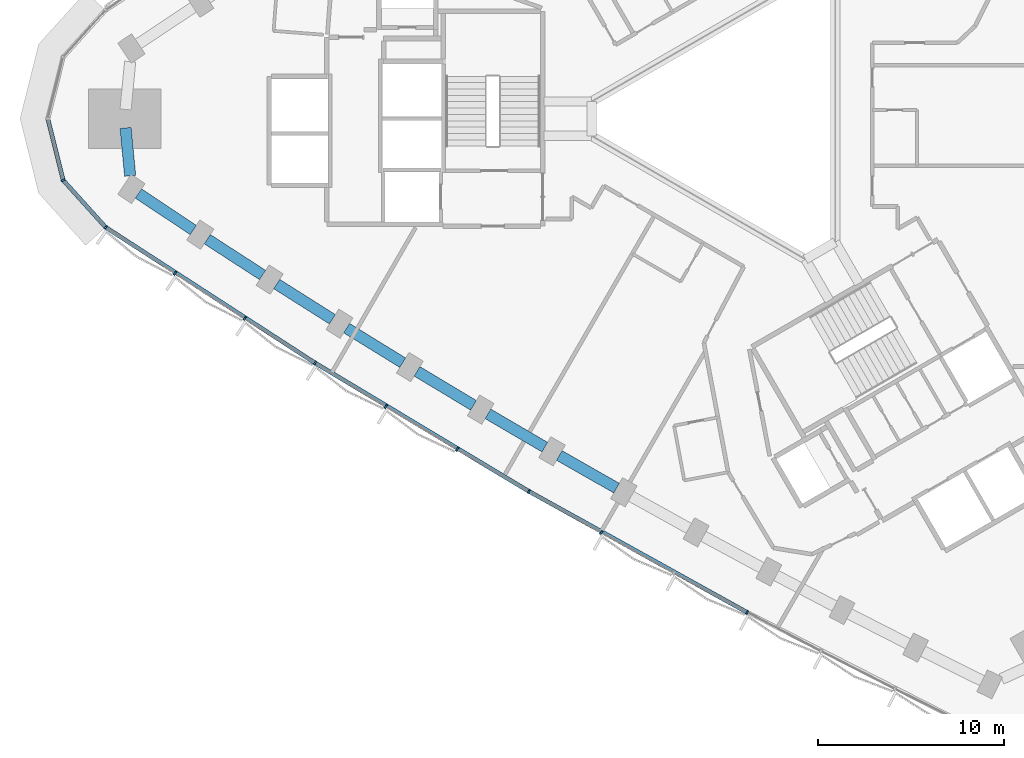
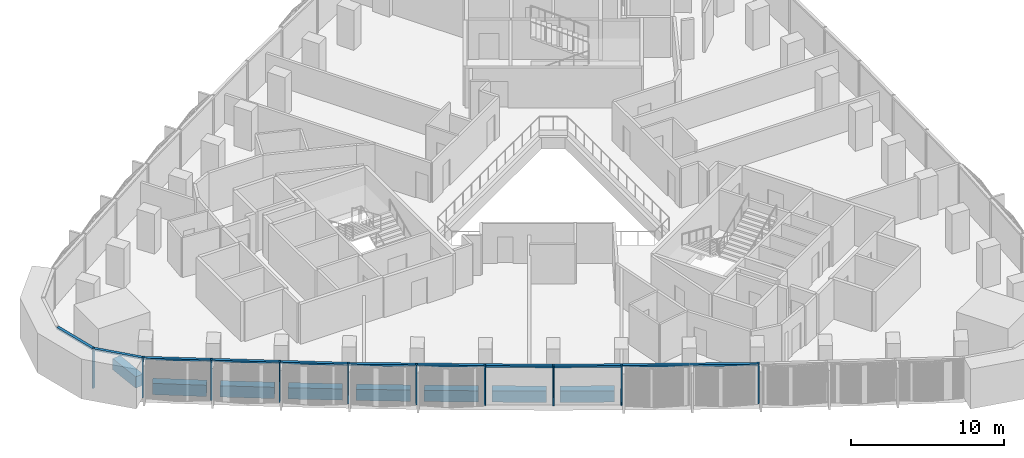
# One storey, part 2 of 15: 15 members, 8 beams, 2 elements without a shape of their own.
"""IFC4 building model written with IfcOpenShell, lengths in metres."""

from ifc_helpers import new_model, si_unit, direction, frame, origin, origin_2d, place, context, subcontext, project, spatial, rectangle, extrude, material, material_profile, profile_set, type_object, element, aggregate, save


model = new_model("IFC4")

# Units and contexts
model_context = context("Model", 3, precision=1e-05, world=origin(), true_north=direction((0.0, 1.0)))
body_context = subcontext(model_context, "Body", "Model", "MODEL_VIEW")
ifc_project = project(units=[si_unit("LENGTHUNIT", "METRE"), si_unit("AREAUNIT", "SQUARE_METRE"), si_unit("VOLUMEUNIT", "CUBIC_METRE"), si_unit("PLANEANGLEUNIT", "RADIAN"), si_unit("MASSUNIT", "GRAM", prefix="KILO")], contexts=[model_context])

# Site, building, storey
site_placement = place(None, origin())
site = spatial("IfcSite", under=ifc_project, at=site_placement, CompositionType="ELEMENT")
building_placement = place(site_placement, origin())
building = spatial("IfcBuilding", under=site, at=building_placement, Name="Tamra Quay Hotel Tower", CompositionType="ELEMENT")
storey_placement = place(building_placement, frame((0.0, 0.0, 97.39990234375)))
storey = spatial("IfcBuildingStorey", under=building, at=storey_placement, Name="L23", CompositionType="ELEMENT", Elevation=97.39990234375)

# Curtain wall, member
ifc_material_1 = material(Name="Aluminium 6063 anodised dark grey", Category="aluminium")
curtain_wall_type_1 = type_object("IfcCurtainWallType", Name="CW2 CURTAIN WALL", PredefinedType="NOTDEFINED", material=ifc_material_1)
curtain_wall_1_placement = place(storey_placement, origin())
curtain_wall_1 = element("IfcCurtainWall", 1, at=curtain_wall_1_placement, inside=storey, type_object=curtain_wall_type_1, Name="CW2 north-west face L23", PredefinedType="NOTDEFINED")
ifc_material_profile_1 = material_profile(ifc_material_1, rectangle(XDim=0.219970703125, YDim=0.10009765625, at=origin_2d()), Name="MULLION 100X220")
ifc_profile_set_1 = profile_set([ifc_material_profile_1], Name="Aluminium 6063 anodised dark grey")
member_type_1 = type_object("IfcMemberType", Name="MULLION CW2 Z2", PredefinedType="MULLION", material=ifc_profile_set_1)
member_1_placement = place(storey_placement, frame((-36.623046875, -3.308349609375, 0.0), z_axis=(0.0, 0.0, 1.0), x_axis=(-0.882543846683, -0.47023011248, 0.0)))
member_1 = element("IfcMember", 2, at=member_1_placement, type_object=member_type_1, Name="CW2 mullion L23.NW.16", PredefinedType="MULLION", context=body_context, shape_type="SweptSolid", body=[
    extrude(rectangle(XDim=0.219970703125, YDim=0.10009765625, at=origin_2d()), origin(), (0.0, 0.0, 1.0), 3.175048828125),
])

# Curtain wall, members
curtain_wall_type_2 = type_object("IfcCurtainWallType", Name="CW3 CURTAIN WALL", PredefinedType="NOTDEFINED", material=ifc_material_1)
curtain_wall_2_placement = place(storey_placement, origin())
curtain_wall_2 = element("IfcCurtainWall", 3, at=curtain_wall_2_placement, inside=storey, type_object=curtain_wall_type_2, Name="CW3 south-west face L23", PredefinedType="NOTDEFINED")
ifc_material_profile_2 = material_profile(ifc_material_1, rectangle(XDim=0.219970703125, YDim=0.10009765625, at=origin_2d()), Name="MULLION 100X220")
ifc_profile_set_2 = profile_set([ifc_material_profile_2], Name="Aluminium 6063 anodised dark grey")
member_type_2 = type_object("IfcMemberType", Name="MULLION CW3 Z2", PredefinedType="MULLION", material=ifc_profile_set_2)
member_2_placement = place(storey_placement, frame((-34.338134765625, -5.839599609375, 0.0), z_axis=(0.0, 0.0, 1.0), x_axis=(-0.652886835472, -0.757455464081, 0.0)))
member_2 = element("IfcMember", 4, at=member_2_placement, type_object=member_type_2, Name="CW3 mullion L23.SW.1", PredefinedType="MULLION", context=body_context, shape_type="SweptSolid", body=[
    extrude(rectangle(XDim=0.219970703125, YDim=0.10009765625, at=origin_2d()), origin(), (0.0, 0.0, 1.0), 3.175048828125),
])
member_3_placement = place(storey_placement, frame((-30.612548828125, -8.314208984375, 0.0), z_axis=(0.0, 0.0, 1.0), x_axis=(-0.548547394531, -0.836119462729, 0.0)))
member_3 = element("IfcMember", 5, at=member_3_placement, type_object=member_type_2, Name="CW3 mullion L23.SW.2", PredefinedType="MULLION", context=body_context, shape_type="SweptSolid", body=[
    extrude(rectangle(XDim=0.219970703125, YDim=0.10009765625, at=origin_2d()), origin(), (0.0, 0.0, 1.0), 3.175048828125),
])
member_4_placement = place(storey_placement, frame((-26.858642578125, -10.74658203125, 0.0), z_axis=(0.0, 0.0, 1.0), x_axis=(-0.538998516205, -0.842306713453, 0.0)))
member_4 = element("IfcMember", 6, at=member_4_placement, type_object=member_type_2, Name="CW3 mullion L23.SW.3", PredefinedType="MULLION", context=body_context, shape_type="SweptSolid", body=[
    extrude(rectangle(XDim=0.219970703125, YDim=0.10009765625, at=origin_2d()), origin(), (0.0, 0.0, 1.0), 3.175048828125),
])
member_5_placement = place(storey_placement, frame((-23.0771484375, -13.13623046875, 0.0), z_axis=(0.0, 0.0, 1.0), x_axis=(-0.5293643356, -0.848394601701, 0.0)))
member_5 = element("IfcMember", 7, at=member_5_placement, type_object=member_type_2, Name="CW3 mullion L23.SW.4", PredefinedType="MULLION", context=body_context, shape_type="SweptSolid", body=[
    extrude(rectangle(XDim=0.219970703125, YDim=0.10009765625, at=origin_2d()), origin(), (0.0, 0.0, 1.0), 3.175048828125),
])
member_6_placement = place(storey_placement, frame((-19.2685546875, -15.482666015625, 0.0), z_axis=(0.0, 0.0, 1.0), x_axis=(-0.519650021275, -0.854379222236, 0.0)))
member_6 = element("IfcMember", 8, at=member_6_placement, type_object=member_type_2, Name="CW3 mullion L23.SW.5", PredefinedType="MULLION", context=body_context, shape_type="SweptSolid", body=[
    extrude(rectangle(XDim=0.219970703125, YDim=0.10009765625, at=origin_2d()), origin(), (0.0, 0.0, 1.0), 3.175048828125),
])
member_7_placement = place(storey_placement, frame((-15.43359375, -17.78515625, 0.0), z_axis=(0.0, 0.0, 1.0), x_axis=(-0.509860421596, -0.860257142075, 0.0)))
member_7 = element("IfcMember", 9, at=member_7_placement, type_object=member_type_2, Name="CW3 mullion L23.SW.6", PredefinedType="MULLION", context=body_context, shape_type="SweptSolid", body=[
    extrude(rectangle(XDim=0.219970703125, YDim=0.10009765625, at=origin_2d()), origin(), (0.0, 0.0, 1.0), 3.175048828125),
])
member_8_placement = place(storey_placement, frame((-11.572265625, -20.0439453125, 0.0), z_axis=(0.0, 0.0, 1.0), x_axis=(-0.5, -0.866025403784, 0.0)))
member_8 = element("IfcMember", 10, at=member_8_placement, type_object=member_type_2, Name="CW3 mullion L23.SW.7", PredefinedType="MULLION", context=body_context, shape_type="SweptSolid", body=[
    extrude(rectangle(XDim=0.219970703125, YDim=0.10009765625, at=origin_2d()), origin(), (0.0, 0.0, 1.0), 3.175048828125),
])
member_9_placement = place(storey_placement, frame((-7.685791015625, -22.25830078125, 0.0), z_axis=(0.0, 0.0, 1.0), x_axis=(-0.490074328026, -0.871680648523, 0.0)))
member_9 = element("IfcMember", 11, at=member_9_placement, type_object=member_type_2, Name="CW3 mullion L23.SW.8", PredefinedType="MULLION", context=body_context, shape_type="SweptSolid", body=[
    extrude(rectangle(XDim=0.219970703125, YDim=0.10009765625, at=origin_2d()), origin(), (0.0, 0.0, 1.0), 3.175048828125),
])
member_10_placement = place(storey_placement, frame((0.162109375, -26.553466796875, 0.0), z_axis=(0.0, 0.0, 1.0), x_axis=(-0.470049109706, -0.882640263337, 0.0)))
member_10 = element("IfcMember", 12, at=member_10_placement, type_object=member_type_2, Name="CW3 mullion L23.SW.10", PredefinedType="MULLION", context=body_context, shape_type="SweptSolid", body=[
    extrude(rectangle(XDim=0.219970703125, YDim=0.10009765625, at=origin_2d()), origin(), (0.0, 0.0, 1.0), 3.175048828125),
])

# Beams
ifc_material_2 = material(Name="Concrete M60", Category="concrete")
ifc_material_profile_3 = material_profile(ifc_material_2, rectangle(XDim=0.60009765625, YDim=0.89990234375, at=origin_2d()), Name="SPANDREL BEAM RC 600x900")
ifc_profile_set_3 = profile_set([ifc_material_profile_3], Name="Concrete M60")
beam_type = type_object("IfcBeamType", Name="SPANDREL BEAM RC 600x900", PredefinedType="SPANDREL", material=ifc_profile_set_3)
beam_1_placement = place(storey_placement, frame((-33.26611328125, -0.497802734375, -0.875), z_axis=(0.09550001445, -0.995429428558, 0.0), x_axis=(0.995429428558, 0.09550001445, 0.0)))
element("IfcBeam", 13, at=beam_1_placement, inside=storey, type_object=beam_type, Name="BM-SP2-027-L23", PredefinedType="SPANDREL", context=body_context, shape_type="SweptSolid", body=[
    extrude(rectangle(XDim=0.60009765625, YDim=0.89990234375, at=origin_2d()), origin(), (0.0, 0.0, 1.0), 2.58447265625),
])
beam_2_placement = place(storey_placement, frame((-32.57666015625, -4.025390625, -0.875), z_axis=(0.832981511469, -0.55330082374, 0.0), x_axis=(0.55330082374, 0.832981511469, 0.0)))
element("IfcBeam", 14, at=beam_2_placement, inside=storey, type_object=beam_type, Name="BM-SP2-028-L23", PredefinedType="SPANDREL", context=body_context, shape_type="SweptSolid", body=[
    extrude(rectangle(XDim=0.60009765625, YDim=0.89990234375, at=origin_2d()), origin(), (0.0, 0.0, 1.0), 3.544921875),
])
beam_3_placement = place(storey_placement, frame((-28.87109375, -6.480712890625, -0.875), z_axis=(0.839237385713, -0.543765216266, 0.0), x_axis=(0.543765216266, 0.839237385713, 0.0)))
element("IfcBeam", 15, at=beam_3_placement, inside=storey, type_object=beam_type, Name="BM-SP2-029-L23", PredefinedType="SPANDREL", context=body_context, shape_type="SweptSolid", body=[
    extrude(rectangle(XDim=0.60009765625, YDim=0.89990234375, at=origin_2d()), origin(), (0.0, 0.0, 1.0), 3.544677734375),
])
for number, where, z_axis, x_axis, name in (
    (16, (-25.13818359375, -8.893310546875, -0.875), (0.845333394052, -0.534239134566, 0.0), (0.534239134566, 0.845333394052, 0.0), "BM-SP2-030-L23"),
    (17, (-21.3779296875, -11.263427734375, -0.875), (0.851393361846, -0.524527733685, 0.0), (0.524527733685, 0.851393361846, 0.0), "BM-SP2-031-L23"),
):
    element("IfcBeam", number, at=place(storey_placement, frame(where, z_axis=z_axis, x_axis=x_axis)), inside=storey, type_object=beam_type, Name=name, PredefinedType="SPANDREL", context=body_context, shape_type="SweptSolid", body=[
        extrude(rectangle(XDim=0.60009765625, YDim=0.89990234375, at=origin_2d()), origin(), (0.0, 0.0, 1.0), 3.544921875),
    ])
for number, where, z_axis, x_axis, name in (
    (18, (-17.5908203125, -13.59033203125, -0.875), (0.857286231776, -0.514840088578, 0.0), (0.514840088578, 0.857286231776, 0.0), "BM-SP2-032-L23"),
    (19, (-13.777587890625, -15.8740234375, -0.875), (0.863128698129, -0.504984010109, 0.0), (0.504984010109, 0.863128698129, 0.0), "BM-SP2-033-L23"),
):
    element("IfcBeam", number, at=place(storey_placement, frame(where, z_axis=z_axis, x_axis=x_axis)), inside=storey, type_object=beam_type, Name=name, PredefinedType="SPANDREL", context=body_context, shape_type="SweptSolid", body=[
        extrude(rectangle(XDim=0.60009765625, YDim=0.89990234375, at=origin_2d()), origin(), (0.0, 0.0, 1.0), 3.544677734375),
    ])
beam_4_placement = place(storey_placement, frame((-9.9384765625, -18.114013671875, -0.875), z_axis=(0.868869699181, -0.495040852704, 0.0), x_axis=(0.495040852704, 0.868869699181, 0.0)))
element("IfcBeam", 20, at=beam_4_placement, inside=storey, type_object=beam_type, Name="BM-SP2-034-L23", PredefinedType="SPANDREL", context=body_context, shape_type="SweptSolid", body=[
    extrude(rectangle(XDim=0.60009765625, YDim=0.89990234375, at=origin_2d()), origin(), (0.0, 0.0, 1.0), 3.544921875),
])

# Member
ifc_material_profile_4 = material_profile(ifc_material_1, rectangle(XDim=0.219970703125, YDim=0.139892578125, at=origin_2d()), Name="TRANSOM 220X140")
ifc_profile_set_4 = profile_set([ifc_material_profile_4], Name="Aluminium 6063 anodised dark grey")
member_type_3 = type_object("IfcMemberType", Name="TRANSOM CW2 Z2", PredefinedType="USERDEFINED", material=ifc_profile_set_4)
member_11_placement = place(storey_placement, frame((-37.437255859375, -0.048583984375, 3.10498046875), z_axis=(0.242292652285, -0.970203211007, 0.0), x_axis=(0.970203211007, 0.242292652285, 0.0)))
member_11 = element("IfcMember", 21, at=member_11_placement, type_object=member_type_3, Name="CW2 transom L23.NW.15", ObjectType="TRANSOM", PredefinedType="USERDEFINED", context=body_context, shape_type="SweptSolid", body=[
    extrude(rectangle(XDim=0.219970703125, YDim=0.139892578125, at=origin_2d()), origin(), (0.0, 0.0, 1.0), 3.31005859375),
])

member_12_placement = place(storey_placement, frame((-36.589599609375, -3.345458984375, 3.10498046875), z_axis=(0.670080516261, -0.742288422196, 0.0), x_axis=(0.742288422196, 0.670080516261, 0.0)))
member_12 = element("IfcMember", 22, at=member_12_placement, type_object=member_type_3, Name="CW2 transom L23.NW.16", ObjectType="TRANSOM", PredefinedType="USERDEFINED", context=body_context, shape_type="SweptSolid", body=[
    extrude(rectangle(XDim=0.219970703125, YDim=0.139892578125, at=origin_2d()), origin(), (0.0, 0.0, 1.0), 3.31005859375),
])

aggregate(curtain_wall_1, [member_11, member_1, member_12])

ifc_material_profile_5 = material_profile(ifc_material_1, rectangle(XDim=0.219970703125, YDim=0.139892578125, at=origin_2d()), Name="TRANSOM 220X140")
ifc_profile_set_5 = profile_set([ifc_material_profile_5], Name="Aluminium 6063 anodised dark grey")
member_type_4 = type_object("IfcMemberType", Name="TRANSOM CW3 Z2", PredefinedType="USERDEFINED", material=ifc_profile_set_5)
member_13_placement = place(storey_placement, frame((-34.29638671875, -5.867431640625, 3.10498046875), z_axis=(0.8392271939, -0.543780945804, 0.0), x_axis=(0.543780945804, 0.8392271939, 0.0)))
member_13 = element("IfcMember", 23, at=member_13_placement, type_object=member_type_4, Name="CW3 transom L23.SW.1", ObjectType="TRANSOM", PredefinedType="USERDEFINED", context=body_context, shape_type="SweptSolid", body=[
    extrude(rectangle(XDim=0.219970703125, YDim=0.139892578125, at=origin_2d()), origin(), (0.0, 0.0, 1.0), 13.318115234375),
])

member_14_placement = place(storey_placement, frame((-23.034423828125, -13.16259765625, 3.10498046875), z_axis=(0.857332765871, -0.514762594372, 0.0), x_axis=(0.514762594372, 0.857332765871, 0.0)))
member_14 = element("IfcMember", 24, at=member_14_placement, type_object=member_type_4, Name="CW3 transom L23.SW.4", ObjectType="TRANSOM", PredefinedType="USERDEFINED", context=body_context, shape_type="SweptSolid", body=[
    extrude(rectangle(XDim=0.219970703125, YDim=0.139892578125, at=origin_2d()), origin(), (0.0, 0.0, 1.0), 13.319091796875),
])

member_15_placement = place(storey_placement, frame((-11.529052734375, -20.068603515625, 3.10498046875), z_axis=(0.874459721019, -0.485098130605, 0.0), x_axis=(0.485098130605, 0.874459721019, 0.0)))
member_15 = element("IfcMember", 25, at=member_15_placement, type_object=member_type_4, Name="CW3 transom L23.SW.7", ObjectType="TRANSOM", PredefinedType="USERDEFINED", context=body_context, shape_type="SweptSolid", body=[
    extrude(rectangle(XDim=0.219970703125, YDim=0.139892578125, at=origin_2d()), origin(), (0.0, 0.0, 1.0), 13.3193359375),
])

aggregate(curtain_wall_2, [member_2, member_13, member_3, member_4, member_5, member_14, member_6, member_7, member_8, member_15, member_9, member_10])

save(model, "model.ifc")
